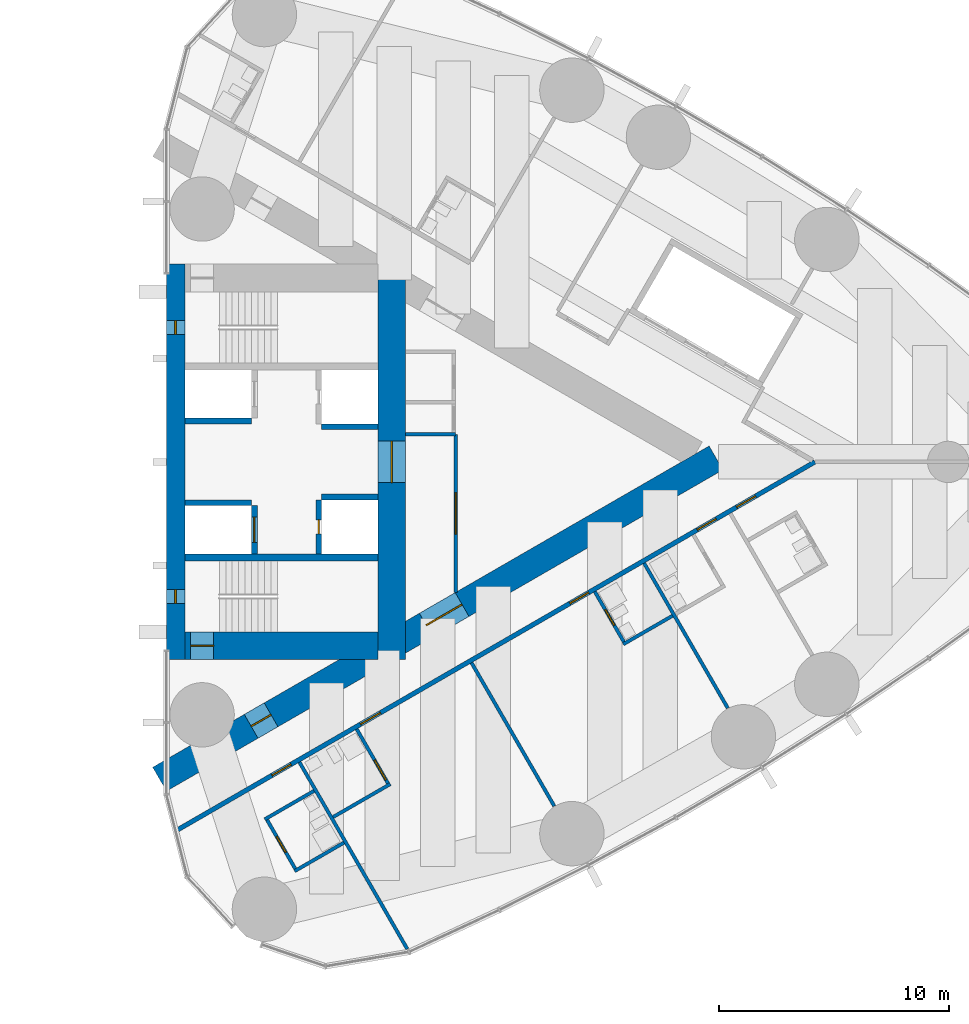
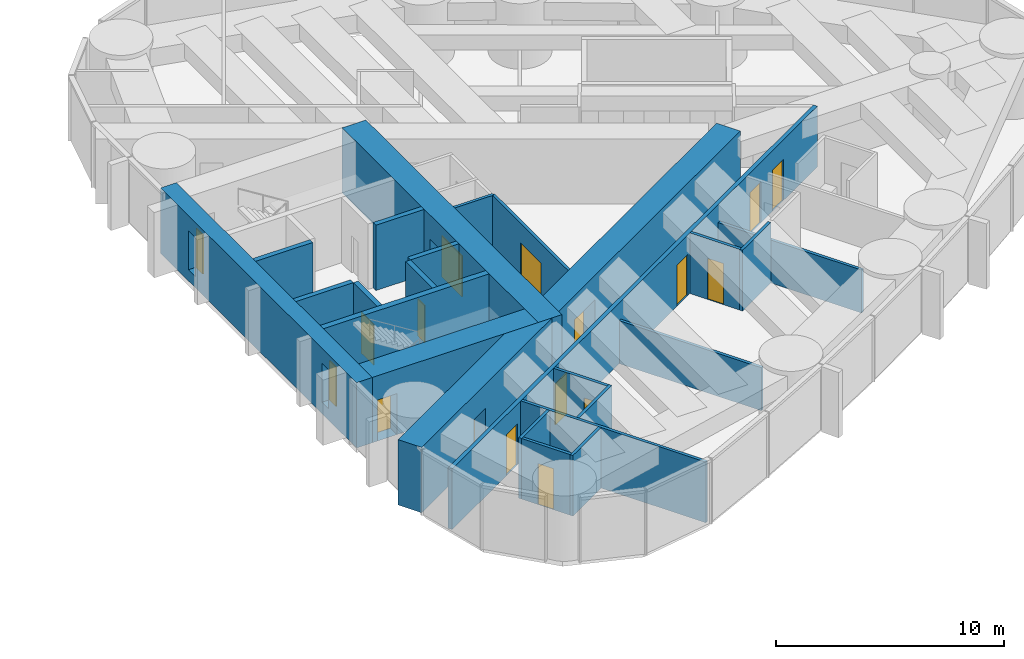
# One storey, part 14 of 19: 24 walls, 15 doors, 2 windows, 17 openings.
"""IFC4 building model written with IfcOpenShell, lengths in metres."""

from ifc_helpers import new_model, si_unit, direction, frame, frame_2d, origin, place, context, subcontext, project, spatial, rectangle, extrude, material, layer, layer_set, type_object, element, fill, save


model = new_model("IFC4")

# Units and contexts
model_context = context("Model", 3, precision=1e-05, world=origin(), true_north=direction((0.0, 1.0)))
body_context = subcontext(model_context, "Body", "Model", "MODEL_VIEW")
ifc_project = project(units=[si_unit("LENGTHUNIT", "METRE"), si_unit("AREAUNIT", "SQUARE_METRE"), si_unit("VOLUMEUNIT", "CUBIC_METRE"), si_unit("PLANEANGLEUNIT", "RADIAN"), si_unit("MASSUNIT", "GRAM", prefix="KILO")], contexts=[model_context])

# Site, building, storey
site_placement = place(None, origin())
site = spatial("IfcSite", under=ifc_project, at=site_placement, CompositionType="ELEMENT")
building_placement = place(site_placement, origin())
building = spatial("IfcBuilding", under=site, at=building_placement, Name="Lancet Gate Hotel", CompositionType="ELEMENT")
storey_placement = place(building_placement, frame((0.0, 0.0, 173.800048828125)))
storey = spatial("IfcBuildingStorey", under=building, at=storey_placement, Name="L46", CompositionType="ELEMENT", Elevation=173.800048828125)

# Wall
ifc_material_1 = material(Name="Moisture resistant board partition")
ifc_layer_1 = layer(ifc_material_1, 0.14990234375)
ifc_layer_set_1 = layer_set([ifc_layer_1], Name="Bathroom wall 150")
wall_type_1 = type_object("IfcWallType", Name="Bathroom wall 150", PredefinedType="PARTITIONING", material=ifc_layer_set_1)
wall_1_placement = place(storey_placement, frame((33.0751953125, -17.798095703125, 0.0), z_axis=(0.0, 0.0, 1.0), x_axis=(0.866006523861, 0.500032699561, 0.0)))
element("IfcWall", 1, at=wall_1_placement, inside=storey, type_object=wall_type_1, Name="T2 bathroom wall 150 L46", PredefinedType="PARTITIONING", context=body_context, shape_type="SweptSolid", body=[
    extrude(rectangle(XDim=2.474853515625, YDim=0.14990234375, at=frame_2d((1.2373046875, 0.0))), origin(), (0.0, 0.0, 1.0), 3.25),
])

# Wall, opening, door
wall_2_placement = place(storey_placement, frame((31.840087890625, -15.5087890625, 0.0), z_axis=(0.0, 0.0, 1.0), x_axis=(0.500006934395, -0.866021400173, 0.0)))
wall_2 = element("IfcWall", 2, at=wall_2_placement, inside=storey, type_object=wall_type_1, Name="T2 bathroom wall 150 L46", PredefinedType="PARTITIONING", context=body_context, shape_type="SweptSolid", body=[
    extrude(rectangle(XDim=2.60009765625, YDim=0.14990234375, at=frame_2d((1.300048828125, 0.0))), origin(), (0.0, 0.0, 1.0), 3.25),
])
opening_1_placement = place(wall_2_placement, frame((0.89990234375, 0.0, 0.0)))
opening_1 = element("IfcOpeningElement", 3, at=opening_1_placement, cuts=wall_2, Name="Opening 4651-B", PredefinedType="OPENING", context=body_context, shape_type="SweptSolid", body=[
    extrude(rectangle(XDim=0.800048828125, YDim=2.199951171875, at=frame_2d((0.39990234375, 1.10009765625))), frame((0.0, 0.0849609375, 0.0), z_axis=(0.0, -1.0, 0.0), x_axis=(1.0, 0.0, 0.0)), (0.0, 0.0, 1.0), 0.169921875),
])
ifc_material_2 = material(Name="Timber door set", Category="wood")
door_type_1 = type_object("IfcDoorType", Name="Bathroom door 800", OperationType="SINGLE_SWING_RIGHT", PredefinedType="DOOR", material=ifc_material_2)
door_1_placement = place(opening_1_placement, origin())
door_1 = element("IfcDoor", 4, at=door_1_placement, inside=storey, type_object=door_type_1, Name="4651-B", OperationType="SINGLE_SWING_RIGHT", OverallHeight=2.199951171875, OverallWidth=0.800048828125, PredefinedType="DOOR", context=body_context, shape_type="SweptSolid", body=[
    extrude(rectangle(XDim=0.800048828125, YDim=2.199951171875, at=frame_2d((0.39990234375, 1.10009765625))), frame((0.0, 0.02490234375, 0.0), z_axis=(0.0, -1.0, 0.0), x_axis=(1.0, 0.0, 0.0)), (0.0, 0.0, 1.0), 0.050048828125),
])
fill(opening_1, door_1)

# Walls
wall_3_placement = place(storey_placement, frame((31.775146484375, -15.54638671875, 0.0), z_axis=(0.0, 0.0, 1.0), x_axis=(0.866031185235, 0.4999899861, 0.0)))
element("IfcWall", 5, at=wall_3_placement, inside=storey, type_object=wall_type_1, Name="T2 bathroom wall 150 L46", PredefinedType="PARTITIONING", context=body_context, shape_type="SweptSolid", body=[
    extrude(rectangle(XDim=2.47509765625, YDim=0.14990234375, at=frame_2d((1.237548828125, 0.0))), origin(), (0.0, 0.0, 1.0), 3.25),
])
wall_4_placement = place(storey_placement, frame((34.74853515625, -15.4462890625, 0.0), z_axis=(0.0, 0.0, 1.0), x_axis=(0.866018712932, 0.500011588718, 0.0)))
element("IfcWall", 6, at=wall_4_placement, inside=storey, type_object=wall_type_1, Name="T2 bathroom wall 150 L46", PredefinedType="PARTITIONING", context=body_context, shape_type="SweptSolid", body=[
    extrude(rectangle(XDim=2.875, YDim=0.14990234375, at=frame_2d((1.4375, 0.0))), origin(), (0.0, 0.0, 1.0), 3.25),
])

# Wall, opening, door
wall_5_placement = place(storey_placement, frame((35.7734375, -11.621337890625, 0.0), z_axis=(0.0, 0.0, 1.0), x_axis=(0.49998411664, -0.866034573852, 0.0)))
wall_5 = element("IfcWall", 7, at=wall_5_placement, inside=storey, type_object=wall_type_1, Name="T2 bathroom wall 150 L46", PredefinedType="PARTITIONING", context=body_context, shape_type="SweptSolid", body=[
    extrude(rectangle(XDim=2.7998046875, YDim=0.14990234375, at=frame_2d((1.39990234375, 0.0))), origin(), (0.0, 0.0, 1.0), 3.25),
])
opening_2_placement = place(wall_5_placement, frame((1.550048828125, 0.0, 0.0)))
opening_2 = element("IfcOpeningElement", 8, at=opening_2_placement, cuts=wall_5, Name="Opening 4652-B", PredefinedType="OPENING", context=body_context, shape_type="SweptSolid", body=[
    extrude(rectangle(XDim=1.0, YDim=2.199951171875, at=frame_2d((0.5, 1.10009765625))), frame((0.0, 0.0849609375, 0.0), z_axis=(0.0, -1.0, 0.0), x_axis=(1.0, 0.0, 0.0)), (0.0, 0.0, 1.0), 0.169921875),
])
ifc_material_3 = material(Name="Timber door set", Category="wood")
door_type_2 = type_object("IfcDoorType", Name="Accessible en-suite door 1000", OperationType="SINGLE_SWING_RIGHT", PredefinedType="DOOR", material=ifc_material_3)
door_2_placement = place(opening_2_placement, origin())
door_2 = element("IfcDoor", 9, at=door_2_placement, inside=storey, type_object=door_type_2, Name="4652-B", OperationType="SINGLE_SWING_RIGHT", OverallHeight=2.199951171875, OverallWidth=1.0, PredefinedType="DOOR", context=body_context, shape_type="SweptSolid", body=[
    extrude(rectangle(XDim=1.0, YDim=2.199951171875, at=frame_2d((0.5, 1.10009765625))), frame((0.0, 0.02490234375, 0.0), z_axis=(0.0, -1.0, 0.0), x_axis=(1.0, 0.0, 0.0)), (0.0, 0.0, 1.0), 0.050048828125),
])
fill(opening_2, door_2)

# Wall
wall_6_placement = place(storey_placement, frame((47.3662109375, -7.930419921875, 0.0), z_axis=(0.0, 0.0, 1.0), x_axis=(0.866031185235, 0.4999899861, 0.0)))
element("IfcWall", 10, at=wall_6_placement, inside=storey, type_object=wall_type_1, Name="T2 bathroom wall 150 L46", PredefinedType="PARTITIONING", context=body_context, shape_type="SweptSolid", body=[
    extrude(rectangle(XDim=2.47509765625, YDim=0.14990234375, at=frame_2d((1.237548828125, 0.0))), origin(), (0.0, 0.0, 1.0), 3.25),
])

# Wall, opening, door
wall_7_placement = place(storey_placement, frame((46.13134765625, -5.641357421875, 0.0), z_axis=(0.0, 0.0, 1.0), x_axis=(0.49997716683, -0.86603858612, 0.0)))
wall_7 = element("IfcWall", 11, at=wall_7_placement, inside=storey, type_object=wall_type_1, Name="T2 bathroom wall 150 L46", PredefinedType="PARTITIONING", context=body_context, shape_type="SweptSolid", body=[
    extrude(rectangle(XDim=2.599609375, YDim=0.14990234375, at=frame_2d((1.2998046875, 0.0))), origin(), (0.0, 0.0, 1.0), 3.25),
])
opening_3_placement = place(wall_7_placement, frame((0.89990234375, 0.0, 0.0)))
opening_3 = element("IfcOpeningElement", 12, at=opening_3_placement, cuts=wall_7, Name="Opening 4654-B", PredefinedType="OPENING", context=body_context, shape_type="SweptSolid", body=[
    extrude(rectangle(XDim=0.800048828125, YDim=2.199951171875, at=frame_2d((0.39990234375, 1.10009765625))), frame((0.0, 0.0849609375, 0.0), z_axis=(0.0, -1.0, 0.0), x_axis=(1.0, 0.0, 0.0)), (0.0, 0.0, 1.0), 0.169921875),
])
door_3_placement = place(opening_3_placement, origin())
door_3 = element("IfcDoor", 13, at=door_3_placement, inside=storey, type_object=door_type_1, Name="4654-B", OperationType="SINGLE_SWING_RIGHT", OverallHeight=2.199951171875, OverallWidth=0.800048828125, PredefinedType="DOOR", context=body_context, shape_type="SweptSolid", body=[
    extrude(rectangle(XDim=0.800048828125, YDim=2.199951171875, at=frame_2d((0.39990234375, 1.10009765625))), frame((0.0, 0.02490234375, 0.0), z_axis=(0.0, -1.0, 0.0), x_axis=(1.0, 0.0, 0.0)), (0.0, 0.0, 1.0), 0.050048828125),
])
fill(opening_3, door_3)

# Wall, openings, doors
ifc_material_4 = material(Name="Concrete C70/85", Category="concrete")
ifc_layer_2 = layer(ifc_material_4, 1.199951171875)
ifc_layer_set_2 = layer_set([ifc_layer_2], Name="Buttress wall 1200")
wall_type_2 = type_object("IfcWallType", Name="Buttress wall 1200", PredefinedType="SHEAR", material=ifc_layer_set_2)
wall_8_placement = place(storey_placement, frame((27.199951171875, -13.800048828125, 0.0), z_axis=(0.0, 0.0, 1.0), x_axis=(0.866027159892, 0.499996958321, 0.0)))
wall_8 = element("IfcWall", 14, at=wall_8_placement, inside=storey, type_object=wall_type_2, Name="T2 buttress wall S L46", PredefinedType="SHEAR", context=body_context, shape_type="SweptSolid", body=[
    extrude(rectangle(XDim=27.946533203125, YDim=1.199951171875, at=frame_2d((13.97314453125, 0.0))), origin(), (0.0, 0.0, 1.0), 3.5),
])
opening_4_placement = place(wall_8_placement, frame((4.60009765625, 0.0, 0.0)))
opening_4 = element("IfcOpeningElement", 15, at=opening_4_placement, cuts=wall_8, Name="Opening T2-L46-LS", PredefinedType="OPENING", context=body_context, shape_type="SweptSolid", body=[
    extrude(rectangle(XDim=1.0, YDim=2.199951171875, at=frame_2d((0.5, 1.10009765625))), frame((0.0, 0.60986328125, 0.0), z_axis=(0.0, -1.0, 0.0), x_axis=(1.0, 0.0, 0.0)), (0.0, 0.0, 1.0), 1.219970703125),
])
opening_5_placement = place(wall_8_placement, frame((13.39453125, 0.0, 0.0)))
opening_5 = element("IfcOpeningElement", 16, at=opening_5_placement, cuts=wall_8, Name="Opening T2-L46-LHS", PredefinedType="OPENING", context=body_context, shape_type="SweptSolid", body=[
    extrude(rectangle(XDim=1.800048828125, YDim=2.199951171875, at=frame_2d((0.89990234375, 1.10009765625))), frame((0.0, 0.60986328125, 0.0), z_axis=(0.0, -1.0, 0.0), x_axis=(1.0, 0.0, 0.0)), (0.0, 0.0, 1.0), 1.219970703125),
])
ifc_material_5 = material(Name="Timber door set", Category="wood")
door_type_3 = type_object("IfcDoorType", Name="Lobby double door 1800", OperationType="DOUBLE_DOOR_SINGLE_SWING", PredefinedType="DOOR", material=ifc_material_5)
door_4_placement = place(opening_5_placement, origin())
door_4 = element("IfcDoor", 17, at=door_4_placement, inside=storey, type_object=door_type_3, Name="T2-L46-LHS", OperationType="DOUBLE_DOOR_SINGLE_SWING", OverallHeight=2.199951171875, OverallWidth=1.800048828125, PredefinedType="DOOR", context=body_context, shape_type="SweptSolid", body=[
    extrude(rectangle(XDim=1.800048828125, YDim=2.199951171875, at=frame_2d((0.89990234375, 1.10009765625))), frame((0.0, 0.02490234375, 0.0), z_axis=(0.0, -1.0, 0.0), x_axis=(1.0, 0.0, 0.0)), (0.0, 0.0, 1.0), 0.050048828125),
])
fill(opening_5, door_4)
ifc_material_6 = material(Name="Timber door set", Category="wood")
door_type_4 = type_object("IfcDoorType", Name="Stair lobby door 1000", OperationType="SINGLE_SWING_LEFT", PredefinedType="DOOR", material=ifc_material_6)
door_5_placement = place(opening_4_placement, origin())
door_5 = element("IfcDoor", 18, at=door_5_placement, inside=storey, type_object=door_type_4, Name="T2-L46-LS", OperationType="SINGLE_SWING_LEFT", OverallHeight=2.199951171875, OverallWidth=1.0, PredefinedType="DOOR", context=body_context, shape_type="SweptSolid", body=[
    extrude(rectangle(XDim=1.0, YDim=2.199951171875, at=frame_2d((0.5, 1.10009765625))), frame((0.0, 0.02490234375, 0.0), z_axis=(0.0, -1.0, 0.0), x_axis=(1.0, 0.0, 0.0)), (0.0, 0.0, 1.0), 0.050048828125),
])
fill(opening_4, door_5)

# Wall, opening, door
ifc_material_7 = material(Name="Concrete C70/85", Category="concrete")
ifc_layer_3 = layer(ifc_material_7, 1.199951171875)
ifc_layer_set_3 = layer_set([ifc_layer_3], Name="Core wall 1200")
wall_type_3 = type_object("IfcWallType", Name="Core wall 1200", PredefinedType="SHEAR", material=ifc_layer_set_3)
wall_9_placement = place(storey_placement, frame((37.300048828125, -8.60009765625, 0.0), z_axis=(0.0, 0.0, 1.0), x_axis=(0.0, 1.0, 0.0)))
wall_9 = element("IfcWall", 19, at=wall_9_placement, inside=storey, type_object=wall_type_3, Name="T2 core wall back L46", PredefinedType="SHEAR", context=body_context, shape_type="SweptSolid", body=[
    extrude(rectangle(XDim=17.2001953125, YDim=1.199951171875, at=frame_2d((8.60009765625, 0.0))), origin(), (0.0, 0.0, 1.0), 3.5),
])
opening_6_placement = place(wall_9_placement, frame((7.699951171875, 0.0, 0.0)))
opening_6 = element("IfcOpeningElement", 20, at=opening_6_placement, cuts=wall_9, Name="Opening T2-L46-LL", PredefinedType="OPENING", context=body_context, shape_type="SweptSolid", body=[
    extrude(rectangle(XDim=1.800048828125, YDim=2.199951171875, at=frame_2d((0.89990234375, 1.10009765625))), frame((0.0, 0.60986328125, 0.0), z_axis=(0.0, -1.0, 0.0), x_axis=(1.0, 0.0, 0.0)), (0.0, 0.0, 1.0), 1.219970703125),
])
door_6_placement = place(opening_6_placement, origin())
door_6 = element("IfcDoor", 21, at=door_6_placement, inside=storey, type_object=door_type_3, Name="T2-L46-LL", OperationType="DOUBLE_DOOR_SINGLE_SWING", OverallHeight=2.199951171875, OverallWidth=1.800048828125, PredefinedType="DOOR", context=body_context, shape_type="SweptSolid", body=[
    extrude(rectangle(XDim=1.800048828125, YDim=2.199951171875, at=frame_2d((0.89990234375, 1.10009765625))), frame((0.0, 0.02490234375, 0.0), z_axis=(0.0, -1.0, 0.0), x_axis=(1.0, 0.0, 0.0)), (0.0, 0.0, 1.0), 0.050048828125),
])
fill(opening_6, door_6)

wall_10_placement = place(storey_placement, frame((28.300048828125, -8.0, 0.0), z_axis=(0.0, 0.0, 1.0), x_axis=(1.0, 0.0, 0.0)))
wall_10 = element("IfcWall", 22, at=wall_10_placement, inside=storey, type_object=wall_type_3, Name="T2 core wall side-S L46", PredefinedType="SHEAR", context=body_context, shape_type="SweptSolid", body=[
    extrude(rectangle(XDim=8.39990234375, YDim=1.199951171875, at=frame_2d((4.199951171875, 0.0))), origin(), (0.0, 0.0, 1.0), 3.5),
])
opening_7_placement = place(wall_10_placement, frame((0.25, 0.0, 0.0)))
opening_7 = element("IfcOpeningElement", 23, at=opening_7_placement, cuts=wall_10, Name="Opening T2-L46-ST1", PredefinedType="OPENING", context=body_context, shape_type="SweptSolid", body=[
    extrude(rectangle(XDim=1.0, YDim=2.199951171875, at=frame_2d((0.5, 1.10009765625))), frame((0.0, 0.60986328125, 0.0), z_axis=(0.0, -1.0, 0.0), x_axis=(1.0, 0.0, 0.0)), (0.0, 0.0, 1.0), 1.219970703125),
])
ifc_material_8 = material(Name="Timber door set", Category="wood")
door_type_5 = type_object("IfcDoorType", Name="Stair door 1000", OperationType="SINGLE_SWING_RIGHT", PredefinedType="DOOR", material=ifc_material_8)
door_7_placement = place(opening_7_placement, origin())
door_7 = element("IfcDoor", 24, at=door_7_placement, inside=storey, type_object=door_type_5, Name="T2-L46-ST1", OperationType="SINGLE_SWING_RIGHT", OverallHeight=2.199951171875, OverallWidth=1.0, PredefinedType="DOOR", context=body_context, shape_type="SweptSolid", body=[
    extrude(rectangle(XDim=1.0, YDim=2.199951171875, at=frame_2d((0.5, 1.10009765625))), frame((0.0, 0.02490234375, 0.0), z_axis=(0.0, -1.0, 0.0), x_axis=(1.0, 0.0, 0.0)), (0.0, 0.0, 1.0), 0.050048828125),
])
fill(opening_7, door_7)

# Wall, openings, windows
ifc_material_9 = material(Name="Concrete C70/85", Category="concrete")
ifc_layer_4 = layer(ifc_material_9, 0.800048828125)
ifc_layer_set_4 = layer_set([ifc_layer_4], Name="Core wall 800")
wall_type_4 = type_object("IfcWallType", Name="Core wall 800", PredefinedType="SHEAR", material=ifc_layer_set_4)
wall_11_placement = place(storey_placement, frame((27.89990234375, -8.60009765625, 0.0), z_axis=(0.0, 0.0, 1.0), x_axis=(0.0, 1.0, 0.0)))
wall_11 = element("IfcWall", 25, at=wall_11_placement, inside=storey, type_object=wall_type_4, Name="T2 core wall front L46", PredefinedType="SHEAR", context=body_context, shape_type="SweptSolid", body=[
    extrude(rectangle(XDim=17.2001953125, YDim=0.800048828125, at=frame_2d((8.60009765625, 0.0))), origin(), (0.0, 0.0, 1.0), 3.5),
])
opening_8_placement = place(wall_11_placement, frame((2.449951171875, 0.0, 0.60009765625)))
opening_8 = element("IfcOpeningElement", 26, at=opening_8_placement, cuts=wall_11, Name="Opening LW1", PredefinedType="OPENING", context=body_context, shape_type="SweptSolid", body=[
    extrude(rectangle(XDim=0.60009765625, YDim=2.10009765625, at=frame_2d((0.300048828125, 1.050048828125))), frame((0.0, 0.409912109375, 0.0), z_axis=(0.0, -1.0, 0.0), x_axis=(1.0, 0.0, 0.0)), (0.0, 0.0, 1.0), 0.820068359375),
])
opening_9_placement = place(wall_11_placement, frame((14.14990234375, 0.0, 0.60009765625)))
opening_9 = element("IfcOpeningElement", 27, at=opening_9_placement, cuts=wall_11, Name="Opening LW1", PredefinedType="OPENING", context=body_context, shape_type="SweptSolid", body=[
    extrude(rectangle(XDim=0.60009765625, YDim=2.10009765625, at=frame_2d((0.300048828125, 1.050048828125))), frame((0.0, 0.409912109375, 0.0), z_axis=(0.0, -1.0, 0.0), x_axis=(1.0, 0.0, 0.0)), (0.0, 0.0, 1.0), 0.820068359375),
])
ifc_material_10 = material(Name="Fire-resisting glazed steel window", Category="steel")
window_type = type_object("IfcWindowType", Name="Lancet window 600x2100", PartitioningType="SINGLE_PANEL", PredefinedType="WINDOW", material=ifc_material_10)
window_1_placement = place(opening_8_placement, origin())
window_1 = element("IfcWindow", 28, at=window_1_placement, inside=storey, type_object=window_type, Name="T2 stair window S L46", OverallHeight=2.10009765625, OverallWidth=0.60009765625, PartitioningType="SINGLE_PANEL", PredefinedType="WINDOW", context=body_context, shape_type="SweptSolid", body=[
    extrude(rectangle(XDim=0.60009765625, YDim=2.10009765625, at=frame_2d((0.300048828125, 1.050048828125))), frame((0.0, 0.030029296875, 0.0), z_axis=(0.0, -1.0, 0.0), x_axis=(1.0, 0.0, 0.0)), (0.0, 0.0, 1.0), 0.06005859375),
])
fill(opening_8, window_1)
window_2_placement = place(opening_9_placement, origin())
window_2 = element("IfcWindow", 29, at=window_2_placement, inside=storey, type_object=window_type, Name="T2 stair window N L46", OverallHeight=2.10009765625, OverallWidth=0.60009765625, PartitioningType="SINGLE_PANEL", PredefinedType="WINDOW", context=body_context, shape_type="SweptSolid", body=[
    extrude(rectangle(XDim=0.60009765625, YDim=2.10009765625, at=frame_2d((0.300048828125, 1.050048828125))), frame((0.0, 0.030029296875, 0.0), z_axis=(0.0, -1.0, 0.0), x_axis=(1.0, 0.0, 0.0)), (0.0, 0.0, 1.0), 0.06005859375),
])
fill(opening_9, window_2)

# Wall, openings, doors
ifc_material_11 = material(Name="Gypsum board partition")
ifc_layer_5 = layer(ifc_material_11, 0.199951171875)
ifc_layer_set_5 = layer_set([ifc_layer_5], Name="Corridor wall 200")
wall_type_5 = type_object("IfcWallType", Name="Corridor wall 200", PredefinedType="PARTITIONING", material=ifc_layer_set_5)
wall_12_placement = place(storey_placement, frame((27.95947265625, -16.017333984375, 0.0), z_axis=(0.0, 0.0, 1.0), x_axis=(0.866024151371, 0.500002169237, 0.0)))
wall_12 = element("IfcWall", 30, at=wall_12_placement, inside=storey, type_object=wall_type_5, Name="T2 corridor wall 200 L46", PredefinedType="PARTITIONING", context=body_context, shape_type="SweptSolid", body=[
    extrude(rectangle(XDim=32.034423828125, YDim=0.199951171875, at=frame_2d((16.01708984375, 0.0))), origin(), (0.0, 0.0, 1.0), 3.25),
])
opening_10_placement = place(wall_12_placement, frame((4.764892578125, 0.0, 0.0)))
opening_10 = element("IfcOpeningElement", 31, at=opening_10_placement, cuts=wall_12, Name="Opening 4651-E", PredefinedType="OPENING", context=body_context, shape_type="SweptSolid", body=[
    extrude(rectangle(XDim=0.949951171875, YDim=2.199951171875, at=frame_2d((0.47509765625, 1.10009765625))), frame((0.0, 0.10986328125, 0.0), z_axis=(0.0, -1.0, 0.0), x_axis=(1.0, 0.0, 0.0)), (0.0, 0.0, 1.0), 0.219970703125),
])
opening_11_placement = place(wall_12_placement, frame((9.215087890625, 0.0, 0.0)))
opening_11 = element("IfcOpeningElement", 32, at=opening_11_placement, cuts=wall_12, Name="Opening 4652-E", PredefinedType="OPENING", context=body_context, shape_type="SweptSolid", body=[
    extrude(rectangle(XDim=1.0, YDim=2.199951171875, at=frame_2d((0.5, 1.10009765625))), frame((0.0, 0.10986328125, 0.0), z_axis=(0.0, -1.0, 0.0), x_axis=(1.0, 0.0, 0.0)), (0.0, 0.0, 1.0), 0.219970703125),
])
opening_12_placement = place(wall_12_placement, frame((19.72509765625, 0.0, 0.0)))
opening_12 = element("IfcOpeningElement", 33, at=opening_12_placement, cuts=wall_12, Name="Opening 4654-E", PredefinedType="OPENING", context=body_context, shape_type="SweptSolid", body=[
    extrude(rectangle(XDim=0.949951171875, YDim=2.199951171875, at=frame_2d((0.47509765625, 1.10009765625))), frame((0.0, 0.10986328125, 0.0), z_axis=(0.0, -1.0, 0.0), x_axis=(1.0, 0.0, 0.0)), (0.0, 0.0, 1.0), 0.219970703125),
])
opening_13_placement = place(wall_12_placement, frame((26.125244140625, 0.0, 0.0)))
opening_13 = element("IfcOpeningElement", 34, at=opening_13_placement, cuts=wall_12, Name="Opening 4656-E", PredefinedType="OPENING", context=body_context, shape_type="SweptSolid", body=[
    extrude(rectangle(XDim=0.949951171875, YDim=2.199951171875, at=frame_2d((0.47509765625, 1.10009765625))), frame((0.0, 0.10986328125, 0.0), z_axis=(0.0, -1.0, 0.0), x_axis=(1.0, 0.0, 0.0)), (0.0, 0.0, 1.0), 0.219970703125),
])
opening_14_placement = place(wall_12_placement, frame((28.10595703125, 0.0, 0.0)))
opening_14 = element("IfcOpeningElement", 35, at=opening_14_placement, cuts=wall_12, Name="Opening 4657-E", PredefinedType="OPENING", context=body_context, shape_type="SweptSolid", body=[
    extrude(rectangle(XDim=0.949951171875, YDim=2.199951171875, at=frame_2d((0.47509765625, 1.10009765625))), frame((0.0, 0.10986328125, 0.0), z_axis=(0.0, -1.0, 0.0), x_axis=(1.0, 0.0, 0.0)), (0.0, 0.0, 1.0), 0.219970703125),
])
ifc_material_12 = material(Name="Timber door set", Category="wood")
door_type_6 = type_object("IfcDoorType", Name="Accessible guest room door 1000", OperationType="SINGLE_SWING_LEFT", PredefinedType="DOOR", material=ifc_material_12)
door_8_placement = place(opening_11_placement, origin())
door_8 = element("IfcDoor", 36, at=door_8_placement, inside=storey, type_object=door_type_6, Name="4652-E", OperationType="SINGLE_SWING_LEFT", OverallHeight=2.199951171875, OverallWidth=1.0, PredefinedType="DOOR", context=body_context, shape_type="SweptSolid", body=[
    extrude(rectangle(XDim=1.0, YDim=2.199951171875, at=frame_2d((0.5, 1.10009765625))), frame((0.0, 0.02490234375, 0.0), z_axis=(0.0, -1.0, 0.0), x_axis=(1.0, 0.0, 0.0)), (0.0, 0.0, 1.0), 0.050048828125),
])
fill(opening_11, door_8)
ifc_material_13 = material(Name="Timber door set", Category="wood")
door_type_7 = type_object("IfcDoorType", Name="Guest room entry door 950", OperationType="SINGLE_SWING_LEFT", PredefinedType="DOOR", material=ifc_material_13)
door_9_placement = place(opening_10_placement, origin())
door_9 = element("IfcDoor", 37, at=door_9_placement, inside=storey, type_object=door_type_7, Name="4651-E", OperationType="SINGLE_SWING_LEFT", OverallHeight=2.199951171875, OverallWidth=0.949951171875, PredefinedType="DOOR", context=body_context, shape_type="SweptSolid", body=[
    extrude(rectangle(XDim=0.949951171875, YDim=2.199951171875, at=frame_2d((0.47509765625, 1.10009765625))), frame((0.0, 0.02490234375, 0.0), z_axis=(0.0, -1.0, 0.0), x_axis=(1.0, 0.0, 0.0)), (0.0, 0.0, 1.0), 0.050048828125),
])
fill(opening_10, door_9)
door_10_placement = place(opening_12_placement, origin())
door_10 = element("IfcDoor", 38, at=door_10_placement, inside=storey, type_object=door_type_7, Name="4654-E", OperationType="SINGLE_SWING_LEFT", OverallHeight=2.199951171875, OverallWidth=0.949951171875, PredefinedType="DOOR", context=body_context, shape_type="SweptSolid", body=[
    extrude(rectangle(XDim=0.949951171875, YDim=2.199951171875, at=frame_2d((0.47509765625, 1.10009765625))), frame((0.0, 0.02490234375, 0.0), z_axis=(0.0, -1.0, 0.0), x_axis=(1.0, 0.0, 0.0)), (0.0, 0.0, 1.0), 0.050048828125),
])
fill(opening_12, door_10)
door_11_placement = place(opening_13_placement, origin())
door_11 = element("IfcDoor", 39, at=door_11_placement, inside=storey, type_object=door_type_7, Name="4656-E", OperationType="SINGLE_SWING_LEFT", OverallHeight=2.199951171875, OverallWidth=0.949951171875, PredefinedType="DOOR", context=body_context, shape_type="SweptSolid", body=[
    extrude(rectangle(XDim=0.949951171875, YDim=2.199951171875, at=frame_2d((0.47509765625, 1.10009765625))), frame((0.0, 0.02490234375, 0.0), z_axis=(0.0, -1.0, 0.0), x_axis=(1.0, 0.0, 0.0)), (0.0, 0.0, 1.0), 0.050048828125),
])
fill(opening_13, door_11)
door_12_placement = place(opening_14_placement, origin())
door_12 = element("IfcDoor", 40, at=door_12_placement, inside=storey, type_object=door_type_7, Name="4657-E", OperationType="SINGLE_SWING_LEFT", OverallHeight=2.199951171875, OverallWidth=0.949951171875, PredefinedType="DOOR", context=body_context, shape_type="SweptSolid", body=[
    extrude(rectangle(XDim=0.949951171875, YDim=2.199951171875, at=frame_2d((0.47509765625, 1.10009765625))), frame((0.0, 0.02490234375, 0.0), z_axis=(0.0, -1.0, 0.0), x_axis=(1.0, 0.0, 0.0)), (0.0, 0.0, 1.0), 0.050048828125),
])
fill(opening_14, door_12)

# Wall, opening, door
ifc_material_14 = material(Name="Concrete C50/60", Category="concrete")
ifc_layer_6 = layer(ifc_material_14, 0.25)
ifc_layer_set_6 = layer_set([ifc_layer_6], Name="Lift shaft wall 250")
wall_type_6 = type_object("IfcWallType", Name="Lift shaft wall 250", PredefinedType="SHEAR", material=ifc_layer_set_6)
wall_13_placement = place(storey_placement, frame((31.324951171875, -4.0, 0.0), z_axis=(0.0, 0.0, 1.0), x_axis=(0.0, 1.0, 0.0)))
wall_13 = element("IfcWall", 41, at=wall_13_placement, inside=storey, type_object=wall_type_6, Name="T2 core wall row1-S L46", PredefinedType="SHEAR", context=body_context, shape_type="SweptSolid", body=[
    extrude(rectangle(XDim=2.10009765625, YDim=0.25, at=frame_2d((1.050048828125, 0.0))), origin(), (0.0, 0.0, 1.0), 3.5),
])
opening_15_placement = place(wall_13_placement, frame((0.5, 0.0, 0.0)))
opening_15 = element("IfcOpeningElement", 42, at=opening_15_placement, cuts=wall_13, Name="Opening T2-SL1-L46", PredefinedType="OPENING", context=body_context, shape_type="SweptSolid", body=[
    extrude(rectangle(XDim=1.10009765625, YDim=2.199951171875, at=frame_2d((0.550048828125, 1.10009765625))), frame((0.0, 0.135009765625, 0.0), z_axis=(0.0, -1.0, 0.0), x_axis=(1.0, 0.0, 0.0)), (0.0, 0.0, 1.0), 0.27001953125),
])
ifc_material_15 = material(Name="Timber door set", Category="wood")
door_type_8 = type_object("IfcDoorType", Name="Service lift landing door 1100", OperationType="SLIDING_TO_LEFT", PredefinedType="USERDEFINED", material=ifc_material_15)
door_13_placement = place(opening_15_placement, origin())
door_13 = element("IfcDoor", 43, at=door_13_placement, inside=storey, type_object=door_type_8, Name="T2-SL1-L46", ObjectType="LIFT LANDING DOOR", OperationType="SLIDING_TO_LEFT", OverallHeight=2.199951171875, OverallWidth=1.10009765625, PredefinedType="USERDEFINED", context=body_context, shape_type="SweptSolid", body=[
    extrude(rectangle(XDim=1.10009765625, YDim=2.199951171875, at=frame_2d((0.550048828125, 1.10009765625))), frame((0.0, 0.02490234375, 0.0), z_axis=(0.0, -1.0, 0.0), x_axis=(1.0, 0.0, 0.0)), (0.0, 0.0, 1.0), 0.050048828125),
])
fill(opening_15, door_13)

wall_14_placement = place(storey_placement, frame((34.125, -4.0, 0.0), z_axis=(0.0, 0.0, 1.0), x_axis=(0.0, 1.0, 0.0)))
wall_14 = element("IfcWall", 44, at=wall_14_placement, inside=storey, type_object=wall_type_6, Name="T2 core wall row2-S L46", PredefinedType="SHEAR", context=body_context, shape_type="SweptSolid", body=[
    extrude(rectangle(XDim=2.35009765625, YDim=0.25, at=frame_2d((1.175048828125, 0.0))), origin(), (0.0, 0.0, 1.0), 3.5),
])
opening_16_placement = place(wall_14_placement, frame((0.875, 0.0, 0.0)))
opening_16 = element("IfcOpeningElement", 45, at=opening_16_placement, cuts=wall_14, Name="Opening T2-OL3-L46-E", PredefinedType="OPENING", context=body_context, shape_type="SweptSolid", body=[
    extrude(rectangle(XDim=0.60009765625, YDim=2.0, at=frame_2d((0.300048828125, 1.0))), frame((0.0, 0.135009765625, 0.0), z_axis=(0.0, -1.0, 0.0), x_axis=(1.0, 0.0, 0.0)), (0.0, 0.0, 1.0), 0.27001953125),
])
ifc_material_16 = material(Name="Steel door set", Category="steel")
door_type_9 = type_object("IfcDoorType", Name="Lift shaft emergency door 600x2000", OperationType="SLIDING_TO_LEFT", PredefinedType="DOOR", material=ifc_material_16)
door_14_placement = place(opening_16_placement, origin())
door_14 = element("IfcDoor", 46, at=door_14_placement, inside=storey, type_object=door_type_9, Name="T2-OL3-L46-E", OperationType="SLIDING_TO_LEFT", OverallHeight=2.0, OverallWidth=0.60009765625, PredefinedType="DOOR", context=body_context, shape_type="SweptSolid", body=[
    extrude(rectangle(XDim=0.60009765625, YDim=2.0, at=frame_2d((0.300048828125, 1.0))), frame((0.0, 0.02490234375, 0.0), z_axis=(0.0, -1.0, 0.0), x_axis=(1.0, 0.0, 0.0)), (0.0, 0.0, 1.0), 0.050048828125),
])
fill(opening_16, door_14)

# Walls
wall_15_placement = place(storey_placement, frame((28.300048828125, -1.77490234375, 0.0), z_axis=(0.0, 0.0, 1.0), x_axis=(1.0, 0.0, 0.0)))
element("IfcWall", 47, at=wall_15_placement, inside=storey, type_object=wall_type_6, Name="T2 core wall pass1-S L46", PredefinedType="SHEAR", context=body_context, shape_type="SweptSolid", body=[
    extrude(rectangle(XDim=2.89990234375, YDim=0.25, at=frame_2d((1.449951171875, 0.0))), origin(), (0.0, 0.0, 1.0), 3.5),
])
wall_16_placement = place(storey_placement, frame((34.25, -1.52490234375, 0.0), z_axis=(0.0, 0.0, 1.0), x_axis=(1.0, 0.0, 0.0)))
element("IfcWall", 48, at=wall_16_placement, inside=storey, type_object=wall_type_6, Name="T2 core wall pass2-S L46", PredefinedType="SHEAR", context=body_context, shape_type="SweptSolid", body=[
    extrude(rectangle(XDim=2.449951171875, YDim=0.25, at=frame_2d((1.22509765625, 0.0))), origin(), (0.0, 0.0, 1.0), 3.5),
])
wall_17_placement = place(storey_placement, frame((28.300048828125, 1.77490234375, 0.0), z_axis=(0.0, 0.0, 1.0), x_axis=(1.0, 0.0, 0.0)))
element("IfcWall", 49, at=wall_17_placement, inside=storey, type_object=wall_type_6, Name="T2 core wall pass1-N L46", PredefinedType="SHEAR", context=body_context, shape_type="SweptSolid", body=[
    extrude(rectangle(XDim=2.89990234375, YDim=0.25, at=frame_2d((1.449951171875, 0.0))), origin(), (0.0, 0.0, 1.0), 3.5),
])
wall_18_placement = place(storey_placement, frame((34.25, 1.52490234375, 0.0), z_axis=(0.0, 0.0, 1.0), x_axis=(1.0, 0.0, 0.0)))
element("IfcWall", 50, at=wall_18_placement, inside=storey, type_object=wall_type_6, Name="T2 core wall pass2-N L46", PredefinedType="SHEAR", context=body_context, shape_type="SweptSolid", body=[
    extrude(rectangle(XDim=2.449951171875, YDim=0.25, at=frame_2d((1.22509765625, 0.0))), origin(), (0.0, 0.0, 1.0), 3.5),
])
ifc_material_17 = material(Name="Gypsum board partition")
ifc_layer_7 = layer(ifc_material_17, 0.14990234375)
ifc_layer_set_7 = layer_set([ifc_layer_7], Name="Party wall 150")
wall_type_7 = type_object("IfcWallType", Name="Party wall 150", PredefinedType="PARTITIONING", material=ifc_layer_set_7)
wall_19_placement = place(storey_placement, frame((33.28369140625, -13.058837890625, 0.0), z_axis=(0.0, 0.0, 1.0), x_axis=(0.499985904184, -0.866033541855, 0.0)))
element("IfcWall", 51, at=wall_19_placement, inside=storey, type_object=wall_type_7, Name="T2 party wall 150 L46", PredefinedType="PARTITIONING", context=body_context, shape_type="SweptSolid", body=[
    extrude(rectangle(XDim=9.385498046875, YDim=0.14990234375, at=frame_2d((4.69287109375, 0.0))), origin(), (0.0, 0.0, 1.0), 3.25),
])
wall_20_placement = place(storey_placement, frame((40.769287109375, -8.737060546875, 0.0), z_axis=(0.0, 0.0, 1.0), x_axis=(0.500013115284, -0.866017831539, 0.0)))
element("IfcWall", 52, at=wall_20_placement, inside=storey, type_object=wall_type_7, Name="T2 party wall 150 L46", PredefinedType="PARTITIONING", context=body_context, shape_type="SweptSolid", body=[
    extrude(rectangle(XDim=7.197998046875, YDim=0.14990234375, at=frame_2d((3.59912109375, 0.0))), origin(), (0.0, 0.0, 1.0), 2.300048828125),
])
wall_21_placement = place(storey_placement, frame((48.274658203125, -4.40380859375, 0.0), z_axis=(0.0, 0.0, 1.0), x_axis=(0.500006004368, -0.866021937133, 0.0)))
element("IfcWall", 53, at=wall_21_placement, inside=storey, type_object=wall_type_7, Name="T2 party wall 150 L46", PredefinedType="PARTITIONING", context=body_context, shape_type="SweptSolid", body=[
    extrude(rectangle(XDim=7.279296875, YDim=0.14990234375, at=frame_2d((3.6396484375, 0.0))), origin(), (0.0, 0.0, 1.0), 2.300048828125),
])
ifc_material_18 = material(Name="Gypsum board partition")
ifc_layer_8 = layer(ifc_material_18, 0.14990234375)
ifc_layer_set_8 = layer_set([ifc_layer_8], Name="Service room wall 150")
wall_type_8 = type_object("IfcWallType", Name="Service room wall 150", PredefinedType="PARTITIONING", material=ifc_layer_set_8)
wall_22_placement = place(storey_placement, frame((37.89990234375, 1.199951171875, 0.0), z_axis=(0.0, 0.0, 1.0), x_axis=(1.0, 0.0, 0.0)))
element("IfcWall", 54, at=wall_22_placement, inside=storey, type_object=wall_type_8, Name="T2 service room wall 150 L46", PredefinedType="PARTITIONING", context=body_context, shape_type="SweptSolid", body=[
    extrude(rectangle(XDim=2.175048828125, YDim=0.14990234375, at=frame_2d((1.08740234375, 0.0))), origin(), (0.0, 0.0, 1.0), 3.25),
])

# Wall, opening, door
wall_23_placement = place(storey_placement, frame((40.074951171875, -5.673828125, 0.0), z_axis=(0.0, 0.0, 1.0), x_axis=(0.0, 1.0, 0.0)))
wall_23 = element("IfcWall", 55, at=wall_23_placement, inside=storey, type_object=wall_type_8, Name="T2 service room wall 150 L46", PredefinedType="PARTITIONING", context=body_context, shape_type="SweptSolid", body=[
    extrude(rectangle(XDim=6.873779296875, YDim=0.14990234375, at=frame_2d((3.43701171875, 0.0))), origin(), (0.0, 0.0, 1.0), 3.25),
])
opening_17_placement = place(wall_23_placement, frame((2.536865234375, 0.0, 0.0)))
opening_17 = element("IfcOpeningElement", 56, at=opening_17_placement, cuts=wall_23, Name="Opening T2-L46-LH", PredefinedType="OPENING", context=body_context, shape_type="SweptSolid", body=[
    extrude(rectangle(XDim=1.800048828125, YDim=2.199951171875, at=frame_2d((0.89990234375, 1.10009765625))), frame((0.0, 0.0849609375, 0.0), z_axis=(0.0, -1.0, 0.0), x_axis=(1.0, 0.0, 0.0)), (0.0, 0.0, 1.0), 0.169921875),
])
door_15_placement = place(opening_17_placement, origin())
door_15 = element("IfcDoor", 57, at=door_15_placement, inside=storey, type_object=door_type_3, Name="T2-L46-LH", OperationType="DOUBLE_DOOR_SINGLE_SWING", OverallHeight=2.199951171875, OverallWidth=1.800048828125, PredefinedType="DOOR", context=body_context, shape_type="SweptSolid", body=[
    extrude(rectangle(XDim=1.800048828125, YDim=2.199951171875, at=frame_2d((0.89990234375, 1.10009765625))), frame((0.0, 0.02490234375, 0.0), z_axis=(0.0, -1.0, 0.0), x_axis=(1.0, 0.0, 0.0)), (0.0, 0.0, 1.0), 0.050048828125),
])
fill(opening_17, door_15)

# Wall
ifc_material_19 = material(Name="Concrete C50/60", Category="concrete")
ifc_layer_9 = layer(ifc_material_19, 0.300048828125)
ifc_layer_set_9 = layer_set([ifc_layer_9], Name="Stair enclosure wall 300")
wall_type_9 = type_object("IfcWallType", Name="Stair enclosure wall 300", PredefinedType="SHEAR", material=ifc_layer_set_9)
wall_24_placement = place(storey_placement, frame((28.300048828125, -4.14990234375, 0.0), z_axis=(0.0, 0.0, 1.0), x_axis=(1.0, 0.0, 0.0)))
element("IfcWall", 58, at=wall_24_placement, inside=storey, type_object=wall_type_9, Name="T2 core wall stair-S L46", PredefinedType="SHEAR", context=body_context, shape_type="SweptSolid", body=[
    extrude(rectangle(XDim=8.39990234375, YDim=0.300048828125, at=frame_2d((4.199951171875, 0.0))), origin(), (0.0, 0.0, 1.0), 3.5),
])

save(model, "model.ifc")
